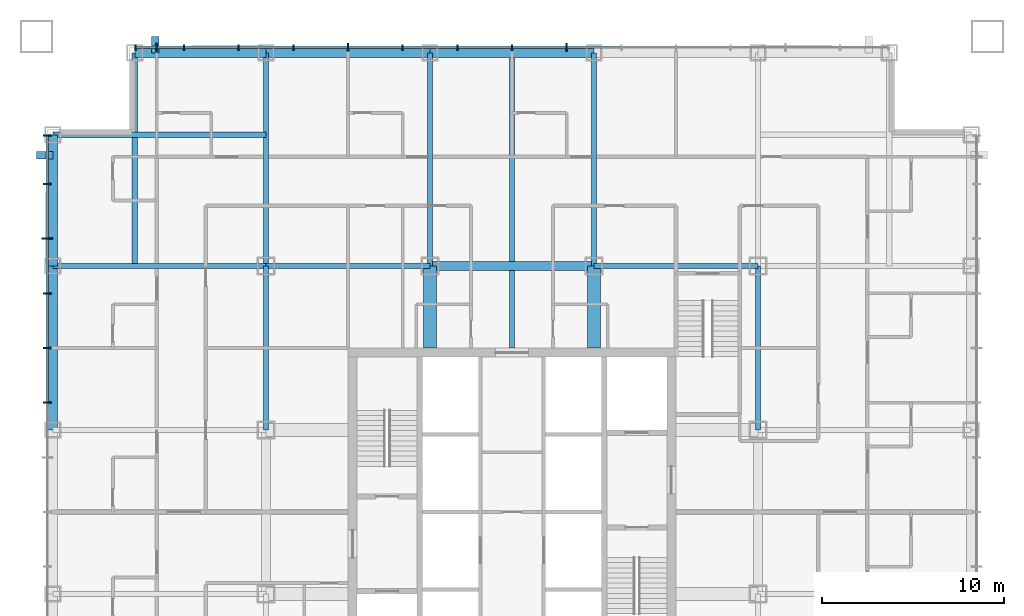
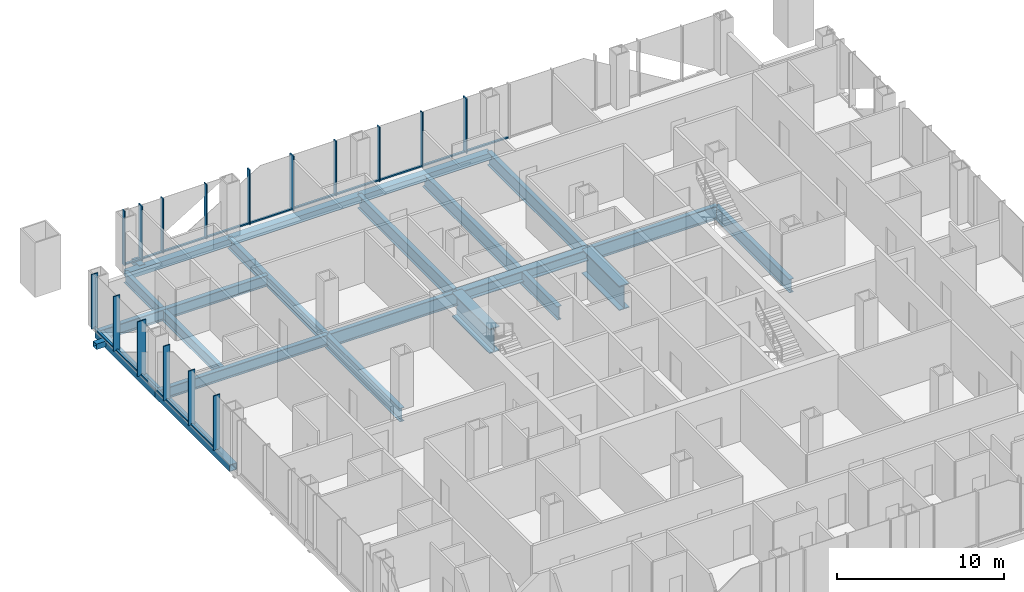
# One storey, part 4 of 13: 33 members, 19 beams, 2 elements without a shape of their own.
"""IFC4 building model written with IfcOpenShell, lengths in metres."""

from ifc_helpers import new_model, si_unit, direction, frame, origin, origin_2d, place, context, subcontext, project, spatial, rectangle, hollow_rectangle, i_section, extrude, material, layer, layer_set, material_profile, profile_set, type_object, element, aggregate, save


model = new_model("IFC4")

# Units and contexts
model_context = context("Model", 3, precision=1e-05, world=origin(), true_north=direction((0.0, 1.0)))
body_context = subcontext(model_context, "Body", "Model", "MODEL_VIEW")
ifc_project = project(units=[si_unit("LENGTHUNIT", "METRE"), si_unit("AREAUNIT", "SQUARE_METRE"), si_unit("VOLUMEUNIT", "CUBIC_METRE"), si_unit("PLANEANGLEUNIT", "RADIAN"), si_unit("MASSUNIT", "GRAM", prefix="KILO")], contexts=[model_context])

# Site, building, storey
site_placement = place(None, origin())
site = spatial("IfcSite", under=ifc_project, at=site_placement, CompositionType="ELEMENT")
building_placement = place(site_placement, origin())
building = spatial("IfcBuilding", under=site, at=building_placement, Name="Malebo Sky Hospital", CompositionType="ELEMENT")
storey_placement = place(building_placement, frame((0.0, 0.0, 35.0)))
storey = spatial("IfcBuildingStorey", under=building, at=storey_placement, Name="L07", CompositionType="ELEMENT", Elevation=35.0)

# Curtain wall, members
ifc_material_1 = material(Name="Anodised aluminium, natural silver", Category="aluminium")
ifc_layer_1 = layer(ifc_material_1, 0.25)
ifc_layer_set_1 = layer_set([ifc_layer_1], Name="WARD CURTAIN WALL NORTH AND SOUTH")
curtain_wall_type_1 = type_object("IfcCurtainWallType", Name="WARD CURTAIN WALL NORTH AND SOUTH", PredefinedType="NOTDEFINED", material=ifc_layer_set_1)
curtain_wall_1_placement = place(storey_placement, origin())
curtain_wall_1 = element("IfcCurtainWall", 1, at=curtain_wall_1_placement, inside=storey, type_object=curtain_wall_type_1, Name="NS curtain wall N", PredefinedType="NOTDEFINED")
ifc_material_profile_1 = material_profile(ifc_material_1, rectangle(XDim=0.14990234375, YDim=0.10009765625, at=origin_2d()), Name="ALUMINIUM TRANSOM 150x100")
ifc_profile_set_1 = profile_set([ifc_material_profile_1], Name="Anodised aluminium, natural silver")
member_type_1 = type_object("IfcMemberType", Name="ALUMINIUM TRANSOM 150x100", PredefinedType="USERDEFINED", material=ifc_profile_set_1)
member_1_placement = place(storey_placement, frame((39.375, 87.5, 0.050048828125), z_axis=(1.0, 0.0, 0.0), x_axis=(0.0, 1.0, 0.0)))
member_1 = element("IfcMember", 2, at=member_1_placement, type_object=member_type_1, Name="Transom 1", ObjectType="TRANSOM", PredefinedType="USERDEFINED", context=body_context, shape_type="SweptSolid", body=[
    extrude(rectangle(XDim=0.14990234375, YDim=0.10009765625, at=origin_2d()), origin(), (0.0, 0.0, 1.0), 1.08740234375),
])
member_2_placement = place(storey_placement, frame((40.53759765625, 87.5, 0.050048828125), z_axis=(1.0, 0.0, 0.0), x_axis=(0.0, 1.0, 0.0)))
member_2 = element("IfcMember", 3, at=member_2_placement, type_object=member_type_1, Name="Transom 2", ObjectType="TRANSOM", PredefinedType="USERDEFINED", context=body_context, shape_type="SweptSolid", body=[
    extrude(rectangle(XDim=0.14990234375, YDim=0.10009765625, at=origin_2d()), origin(), (0.0, 0.0, 1.0), 1.4248046875),
])
member_3_placement = place(storey_placement, frame((42.03759765625, 87.5, 0.050048828125), z_axis=(1.0, 0.0, 0.0), x_axis=(0.0, 1.0, 0.0)))
member_3 = element("IfcMember", 4, at=member_3_placement, type_object=member_type_1, Name="Transom 3", ObjectType="TRANSOM", PredefinedType="USERDEFINED", context=body_context, shape_type="SweptSolid", body=[
    extrude(rectangle(XDim=0.14990234375, YDim=0.10009765625, at=origin_2d()), origin(), (0.0, 0.0, 1.0), 2.9248046875),
])
member_4_placement = place(storey_placement, frame((45.03759765625, 87.5, 0.050048828125), z_axis=(1.0, 0.0, 0.0), x_axis=(0.0, 1.0, 0.0)))
member_4 = element("IfcMember", 5, at=member_4_placement, type_object=member_type_1, Name="Transom 4", ObjectType="TRANSOM", PredefinedType="USERDEFINED", context=body_context, shape_type="SweptSolid", body=[
    extrude(rectangle(XDim=0.14990234375, YDim=0.10009765625, at=origin_2d()), origin(), (0.0, 0.0, 1.0), 2.9248046875),
])
member_5_placement = place(storey_placement, frame((48.03759765625, 87.5, 0.050048828125), z_axis=(1.0, 0.0, 0.0), x_axis=(0.0, 1.0, 0.0)))
member_5 = element("IfcMember", 6, at=member_5_placement, type_object=member_type_1, Name="Transom 5", ObjectType="TRANSOM", PredefinedType="USERDEFINED", context=body_context, shape_type="SweptSolid", body=[
    extrude(rectangle(XDim=0.14990234375, YDim=0.10009765625, at=origin_2d()), origin(), (0.0, 0.0, 1.0), 2.9248046875),
])
member_6_placement = place(storey_placement, frame((51.03759765625, 87.5, 0.050048828125), z_axis=(1.0, 0.0, 0.0), x_axis=(0.0, 1.0, 0.0)))
member_6 = element("IfcMember", 7, at=member_6_placement, type_object=member_type_1, Name="Transom 6", ObjectType="TRANSOM", PredefinedType="USERDEFINED", context=body_context, shape_type="SweptSolid", body=[
    extrude(rectangle(XDim=0.14990234375, YDim=0.10009765625, at=origin_2d()), origin(), (0.0, 0.0, 1.0), 2.9248046875),
])
member_7_placement = place(storey_placement, frame((54.03759765625, 87.5, 0.050048828125), z_axis=(1.0, 0.0, 0.0), x_axis=(0.0, 1.0, 0.0)))
member_7 = element("IfcMember", 8, at=member_7_placement, type_object=member_type_1, Name="Transom 7", ObjectType="TRANSOM", PredefinedType="USERDEFINED", context=body_context, shape_type="SweptSolid", body=[
    extrude(rectangle(XDim=0.14990234375, YDim=0.10009765625, at=origin_2d()), origin(), (0.0, 0.0, 1.0), 2.9248046875),
])
member_8_placement = place(storey_placement, frame((57.03759765625, 87.5, 0.050048828125), z_axis=(1.0, 0.0, 0.0), x_axis=(0.0, 1.0, 0.0)))
member_8 = element("IfcMember", 9, at=member_8_placement, type_object=member_type_1, Name="Transom 8", ObjectType="TRANSOM", PredefinedType="USERDEFINED", context=body_context, shape_type="SweptSolid", body=[
    extrude(rectangle(XDim=0.14990234375, YDim=0.10009765625, at=origin_2d()), origin(), (0.0, 0.0, 1.0), 2.9248046875),
])
member_9_placement = place(storey_placement, frame((60.03759765625, 87.5, 0.050048828125), z_axis=(1.0, 0.0, 0.0), x_axis=(0.0, 1.0, 0.0)))
member_9 = element("IfcMember", 10, at=member_9_placement, type_object=member_type_1, Name="Transom 9", ObjectType="TRANSOM", PredefinedType="USERDEFINED", context=body_context, shape_type="SweptSolid", body=[
    extrude(rectangle(XDim=0.14990234375, YDim=0.10009765625, at=origin_2d()), origin(), (0.0, 0.0, 1.0), 2.9248046875),
])
member_10_placement = place(storey_placement, frame((63.03759765625, 87.5, 0.050048828125), z_axis=(1.0, 0.0, 0.0), x_axis=(0.0, 1.0, 0.0)))
member_10 = element("IfcMember", 11, at=member_10_placement, type_object=member_type_1, Name="Transom 10", ObjectType="TRANSOM", PredefinedType="USERDEFINED", context=body_context, shape_type="SweptSolid", body=[
    extrude(rectangle(XDim=0.14990234375, YDim=0.10009765625, at=origin_2d()), origin(), (0.0, 0.0, 1.0), 2.9248046875),
])

ifc_layer_2 = layer(ifc_material_1, 0.25)
ifc_layer_set_2 = layer_set([ifc_layer_2], Name="WARD CURTAIN WALL EAST AND WEST")
curtain_wall_type_2 = type_object("IfcCurtainWallType", Name="WARD CURTAIN WALL EAST AND WEST", PredefinedType="NOTDEFINED", material=ifc_layer_set_2)
curtain_wall_2_placement = place(storey_placement, origin())
curtain_wall_2 = element("IfcCurtainWall", 12, at=curtain_wall_2_placement, inside=storey, type_object=curtain_wall_type_2, Name="EW curtain wall W", PredefinedType="NOTDEFINED")
member_11_placement = place(storey_placement, frame((34.5, 68.03759765625, 0.050048828125), z_axis=(0.0, 1.0, 0.0), x_axis=(-1.0, 0.0, 0.0)))
member_11 = element("IfcMember", 13, at=member_11_placement, type_object=member_type_1, Name="Transom 11", ObjectType="TRANSOM", PredefinedType="USERDEFINED", context=body_context, shape_type="SweptSolid", body=[
    extrude(rectangle(XDim=0.14990234375, YDim=0.10009765625, at=origin_2d()), origin(), (0.0, 0.0, 1.0), 2.9248046875),
])
member_12_placement = place(storey_placement, frame((34.5, 71.03759765625, 0.050048828125), z_axis=(0.0, 1.0, 0.0), x_axis=(-1.0, 0.0, 0.0)))
member_12 = element("IfcMember", 14, at=member_12_placement, type_object=member_type_1, Name="Transom 12", ObjectType="TRANSOM", PredefinedType="USERDEFINED", context=body_context, shape_type="SweptSolid", body=[
    extrude(rectangle(XDim=0.14990234375, YDim=0.10009765625, at=origin_2d()), origin(), (0.0, 0.0, 1.0), 2.9248046875),
])
member_13_placement = place(storey_placement, frame((34.5, 74.03759765625, 0.050048828125), z_axis=(0.0, 1.0, 0.0), x_axis=(-1.0, 0.0, 0.0)))
member_13 = element("IfcMember", 15, at=member_13_placement, type_object=member_type_1, Name="Transom 13", ObjectType="TRANSOM", PredefinedType="USERDEFINED", context=body_context, shape_type="SweptSolid", body=[
    extrude(rectangle(XDim=0.14990234375, YDim=0.10009765625, at=origin_2d()), origin(), (0.0, 0.0, 1.0), 2.9248046875),
])
member_14_placement = place(storey_placement, frame((34.5, 77.03759765625, 0.050048828125), z_axis=(0.0, 1.0, 0.0), x_axis=(-1.0, 0.0, 0.0)))
member_14 = element("IfcMember", 16, at=member_14_placement, type_object=member_type_1, Name="Transom 14", ObjectType="TRANSOM", PredefinedType="USERDEFINED", context=body_context, shape_type="SweptSolid", body=[
    extrude(rectangle(XDim=0.14990234375, YDim=0.10009765625, at=origin_2d()), origin(), (0.0, 0.0, 1.0), 2.9248046875),
])
member_15_placement = place(storey_placement, frame((34.5, 80.03759765625, 0.050048828125), z_axis=(0.0, 1.0, 0.0), x_axis=(-1.0, 0.0, 0.0)))
member_15 = element("IfcMember", 17, at=member_15_placement, type_object=member_type_1, Name="Transom 15", ObjectType="TRANSOM", PredefinedType="USERDEFINED", context=body_context, shape_type="SweptSolid", body=[
    extrude(rectangle(XDim=0.14990234375, YDim=0.10009765625, at=origin_2d()), origin(), (0.0, 0.0, 1.0), 2.58740234375),
])

# Members
ifc_material_2 = material(Name="Steel S355", Category="steel")
ifc_material_profile_2 = material_profile(ifc_material_2, hollow_rectangle(XDim=0.39990234375, YDim=0.39990234375, WallThickness=0.02001953125, at=origin_2d()), Name="SHS 400x20")
ifc_profile_set_2 = profile_set([ifc_material_profile_2], Name="Steel S355")
member_type_2 = type_object("IfcMemberType", Name="BRACE STRUT SHS 400x20", PredefinedType="STRUT", material=ifc_profile_set_2)
for number, where, z_axis, x_axis, name in (
    (18, (40.425048828125, 88.10009765625, -0.39990234375), (0.0, -1.0, 0.0), (1.0, 0.0, 0.0), "Brace strut AN2 L07"),
    (19, (33.89990234375, 81.574951171875, -0.39990234375), (1.0, 0.0, 0.0), (0.0, 1.0, 0.0), "Brace strut AW1 L07"),
):
    element("IfcMember", number, at=place(storey_placement, frame(where, z_axis=z_axis, x_axis=x_axis)), inside=storey, type_object=member_type_2, Name=name, PredefinedType="STRUT", context=body_context, shape_type="SweptSolid", body=[
        extrude(hollow_rectangle(XDim=0.39990234375, YDim=0.39990234375, WallThickness=0.02001953125, at=origin_2d()), origin(), (0.0, 0.0, 1.0), 0.900146484375),
    ])

# Member
ifc_material_profile_3 = material_profile(ifc_material_1, rectangle(XDim=0.074951171875, YDim=0.300048828125, at=origin_2d()), Name="CW1 ALUMINIUM FIN MULLION 75x300")
ifc_profile_set_3 = profile_set([ifc_material_profile_3], Name="Anodised aluminium, natural silver")
member_type_3 = type_object("IfcMemberType", Name="CW1 ALUMINIUM FIN MULLION 75x300", PredefinedType="MULLION", material=ifc_profile_set_3)
member_16_placement = place(storey_placement, frame((39.33740234375, 87.5, 0.0), z_axis=(0.0, 0.0, 1.0), x_axis=(1.0, 0.0, 0.0)))
member_16 = element("IfcMember", 20, at=member_16_placement, type_object=member_type_3, Name="Fin mullion 1", PredefinedType="MULLION", context=body_context, shape_type="SweptSolid", body=[
    extrude(rectangle(XDim=0.074951171875, YDim=0.300048828125, at=origin_2d()), origin(), (0.0, 0.0, 1.0), 4.0),
])

member_17_placement = place(storey_placement, frame((42.0, 87.5, 0.0), z_axis=(0.0, 0.0, 1.0), x_axis=(1.0, 0.0, 0.0)))
member_17 = element("IfcMember", 21, at=member_17_placement, type_object=member_type_3, Name="Fin mullion 3", PredefinedType="MULLION", context=body_context, shape_type="SweptSolid", body=[
    extrude(rectangle(XDim=0.074951171875, YDim=0.300048828125, at=origin_2d()), origin(), (0.0, 0.0, 1.0), 4.0),
])

member_18_placement = place(storey_placement, frame((45.0, 87.5, 0.0), z_axis=(0.0, 0.0, 1.0), x_axis=(1.0, 0.0, 0.0)))
member_18 = element("IfcMember", 22, at=member_18_placement, type_object=member_type_3, Name="Fin mullion 4", PredefinedType="MULLION", context=body_context, shape_type="SweptSolid", body=[
    extrude(rectangle(XDim=0.074951171875, YDim=0.300048828125, at=origin_2d()), origin(), (0.0, 0.0, 1.0), 4.0),
])

member_19_placement = place(storey_placement, frame((48.0, 87.5, 0.0), z_axis=(0.0, 0.0, 1.0), x_axis=(1.0, 0.0, 0.0)))
member_19 = element("IfcMember", 23, at=member_19_placement, type_object=member_type_3, Name="Fin mullion 5", PredefinedType="MULLION", context=body_context, shape_type="SweptSolid", body=[
    extrude(rectangle(XDim=0.074951171875, YDim=0.300048828125, at=origin_2d()), origin(), (0.0, 0.0, 1.0), 4.0),
])

member_20_placement = place(storey_placement, frame((54.0, 87.5, 0.0), z_axis=(0.0, 0.0, 1.0), x_axis=(1.0, 0.0, 0.0)))
member_20 = element("IfcMember", 24, at=member_20_placement, type_object=member_type_3, Name="Fin mullion 7", PredefinedType="MULLION", context=body_context, shape_type="SweptSolid", body=[
    extrude(rectangle(XDim=0.074951171875, YDim=0.300048828125, at=origin_2d()), origin(), (0.0, 0.0, 1.0), 4.0),
])

member_21_placement = place(storey_placement, frame((57.0, 87.5, 0.0), z_axis=(0.0, 0.0, 1.0), x_axis=(1.0, 0.0, 0.0)))
member_21 = element("IfcMember", 25, at=member_21_placement, type_object=member_type_3, Name="Fin mullion 8", PredefinedType="MULLION", context=body_context, shape_type="SweptSolid", body=[
    extrude(rectangle(XDim=0.074951171875, YDim=0.300048828125, at=origin_2d()), origin(), (0.0, 0.0, 1.0), 4.0),
])

member_22_placement = place(storey_placement, frame((60.0, 87.5, 0.0), z_axis=(0.0, 0.0, 1.0), x_axis=(1.0, 0.0, 0.0)))
member_22 = element("IfcMember", 26, at=member_22_placement, type_object=member_type_3, Name="Fin mullion 9", PredefinedType="MULLION", context=body_context, shape_type="SweptSolid", body=[
    extrude(rectangle(XDim=0.074951171875, YDim=0.300048828125, at=origin_2d()), origin(), (0.0, 0.0, 1.0), 4.0),
])

ifc_material_profile_4 = material_profile(ifc_material_1, rectangle(XDim=0.074951171875, YDim=0.449951171875, at=origin_2d()), Name="CW1 ALUMINIUM FIN MULLION 75x450")
ifc_profile_set_4 = profile_set([ifc_material_profile_4], Name="Anodised aluminium, natural silver")
member_type_4 = type_object("IfcMemberType", Name="CW1 ALUMINIUM FIN MULLION 75x450", PredefinedType="MULLION", material=ifc_profile_set_4)
member_23_placement = place(storey_placement, frame((40.5, 87.5, 0.0), z_axis=(0.0, 0.0, 1.0), x_axis=(1.0, 0.0, 0.0)))
member_23 = element("IfcMember", 27, at=member_23_placement, type_object=member_type_4, Name="Fin mullion 2", PredefinedType="MULLION", context=body_context, shape_type="SweptSolid", body=[
    extrude(rectangle(XDim=0.074951171875, YDim=0.449951171875, at=origin_2d()), origin(), (0.0, 0.0, 1.0), 4.0),
])

member_24_placement = place(storey_placement, frame((51.0, 87.5, 0.0), z_axis=(0.0, 0.0, 1.0), x_axis=(1.0, 0.0, 0.0)))
member_24 = element("IfcMember", 28, at=member_24_placement, type_object=member_type_4, Name="Fin mullion 6", PredefinedType="MULLION", context=body_context, shape_type="SweptSolid", body=[
    extrude(rectangle(XDim=0.074951171875, YDim=0.449951171875, at=origin_2d()), origin(), (0.0, 0.0, 1.0), 4.0),
])

member_25_placement = place(storey_placement, frame((63.0, 87.5, 0.0), z_axis=(0.0, 0.0, 1.0), x_axis=(1.0, 0.0, 0.0)))
member_25 = element("IfcMember", 29, at=member_25_placement, type_object=member_type_4, Name="Fin mullion 10", PredefinedType="MULLION", context=body_context, shape_type="SweptSolid", body=[
    extrude(rectangle(XDim=0.074951171875, YDim=0.449951171875, at=origin_2d()), origin(), (0.0, 0.0, 1.0), 4.0),
])

aggregate(curtain_wall_1, [member_16, member_23, member_17, member_18, member_19, member_24, member_20, member_21, member_22, member_25, member_1, member_2, member_3, member_4, member_5, member_6, member_7, member_8, member_9, member_10])

ifc_material_profile_5 = material_profile(ifc_material_1, rectangle(XDim=0.074951171875, YDim=0.449951171875, at=origin_2d()), Name="CW2 ALUMINIUM FIN MULLION 75x450")
ifc_profile_set_5 = profile_set([ifc_material_profile_5], Name="Anodised aluminium, natural silver")
member_type_5 = type_object("IfcMemberType", Name="CW2 ALUMINIUM FIN MULLION 75x450", PredefinedType="MULLION", material=ifc_profile_set_5)
member_26_placement = place(storey_placement, frame((34.5, 68.0, 0.0), z_axis=(0.0, 0.0, 1.0), x_axis=(0.0, 1.0, 0.0)))
member_26 = element("IfcMember", 30, at=member_26_placement, type_object=member_type_5, Name="Fin mullion 11", PredefinedType="MULLION", context=body_context, shape_type="SweptSolid", body=[
    extrude(rectangle(XDim=0.074951171875, YDim=0.449951171875, at=origin_2d()), origin(), (0.0, 0.0, 1.0), 4.0),
])

member_27_placement = place(storey_placement, frame((34.5, 71.0, 0.0), z_axis=(0.0, 0.0, 1.0), x_axis=(0.0, 1.0, 0.0)))
member_27 = element("IfcMember", 31, at=member_27_placement, type_object=member_type_5, Name="Fin mullion 12", PredefinedType="MULLION", context=body_context, shape_type="SweptSolid", body=[
    extrude(rectangle(XDim=0.074951171875, YDim=0.449951171875, at=origin_2d()), origin(), (0.0, 0.0, 1.0), 4.0),
])

member_28_placement = place(storey_placement, frame((34.5, 74.0, 0.0), z_axis=(0.0, 0.0, 1.0), x_axis=(0.0, 1.0, 0.0)))
member_28 = element("IfcMember", 32, at=member_28_placement, type_object=member_type_5, Name="Fin mullion 13", PredefinedType="MULLION", context=body_context, shape_type="SweptSolid", body=[
    extrude(rectangle(XDim=0.074951171875, YDim=0.449951171875, at=origin_2d()), origin(), (0.0, 0.0, 1.0), 4.0),
])

member_29_placement = place(storey_placement, frame((34.5, 80.0, 0.0), z_axis=(0.0, 0.0, 1.0), x_axis=(0.0, 1.0, 0.0)))
member_29 = element("IfcMember", 33, at=member_29_placement, type_object=member_type_5, Name="Fin mullion 15", PredefinedType="MULLION", context=body_context, shape_type="SweptSolid", body=[
    extrude(rectangle(XDim=0.074951171875, YDim=0.449951171875, at=origin_2d()), origin(), (0.0, 0.0, 1.0), 4.0),
])

member_30_placement = place(storey_placement, frame((34.5, 82.66259765625, 0.0), z_axis=(0.0, 0.0, 1.0), x_axis=(0.0, 1.0, 0.0)))
member_30 = element("IfcMember", 34, at=member_30_placement, type_object=member_type_5, Name="Fin mullion 16", PredefinedType="MULLION", context=body_context, shape_type="SweptSolid", body=[
    extrude(rectangle(XDim=0.074951171875, YDim=0.449951171875, at=origin_2d()), origin(), (0.0, 0.0, 1.0), 4.0),
])

ifc_material_profile_6 = material_profile(ifc_material_1, rectangle(XDim=0.074951171875, YDim=0.60009765625, at=origin_2d()), Name="CW2 ALUMINIUM FIN MULLION 75x600")
ifc_profile_set_6 = profile_set([ifc_material_profile_6], Name="Anodised aluminium, natural silver")
member_type_6 = type_object("IfcMemberType", Name="CW2 ALUMINIUM FIN MULLION 75x600", PredefinedType="MULLION", material=ifc_profile_set_6)
member_31_placement = place(storey_placement, frame((34.5, 77.0, 0.0), z_axis=(0.0, 0.0, 1.0), x_axis=(0.0, 1.0, 0.0)))
member_31 = element("IfcMember", 35, at=member_31_placement, type_object=member_type_6, Name="Fin mullion 14", PredefinedType="MULLION", context=body_context, shape_type="SweptSolid", body=[
    extrude(rectangle(XDim=0.074951171875, YDim=0.60009765625, at=origin_2d()), origin(), (0.0, 0.0, 1.0), 4.0),
])

aggregate(curtain_wall_2, [member_26, member_27, member_28, member_31, member_29, member_30, member_11, member_12, member_13, member_14, member_15])

# Beams
ifc_material_3 = material(Name="Steel S460", Category="steel")
ifc_material_profile_7 = material_profile(ifc_material_3, hollow_rectangle(XDim=0.5, YDim=0.5, WallThickness=0.030029296875, at=origin_2d()), Name="BOX 500x500x30")
ifc_profile_set_7 = profile_set([ifc_material_profile_7], Name="Steel S460")
beam_type_1 = type_object("IfcBeamType", Name="EDGE BEAM BOX 500x500x30", PredefinedType="BEAM", material=ifc_profile_set_7)
beam_1_placement = place(storey_placement, frame((34.800048828125, 66.5, -0.5), z_axis=(0.0, 1.0, 0.0), x_axis=(-1.0, 0.0, 0.0)))
element("IfcBeam", 36, at=beam_1_placement, inside=storey, type_object=beam_type_1, Name="Beam 003 L07", PredefinedType="BEAM", context=body_context, shape_type="SweptSolid", body=[
    extrude(hollow_rectangle(XDim=0.5, YDim=0.5, WallThickness=0.030029296875, at=origin_2d()), origin(), (0.0, 0.0, 1.0), 9.0),
])
for number, where, z_axis, x_axis, name in (
    (37, (34.800048828125, 75.5, -0.5), (0.0, 1.0, 0.0), (-1.0, 0.0, 0.0), "Beam 004 L07"),
    (38, (39.300048828125, 87.199951171875, -0.5), (1.0, 0.0, 0.0), (0.0, 1.0, 0.0), "Beam 063 L07"),
):
    element("IfcBeam", number, at=place(storey_placement, frame(where, z_axis=z_axis, x_axis=x_axis)), inside=storey, type_object=beam_type_1, Name=name, PredefinedType="BEAM", context=body_context, shape_type="SweptSolid", body=[
        extrude(hollow_rectangle(XDim=0.5, YDim=0.5, WallThickness=0.030029296875, at=origin_2d()), origin(), (0.0, 0.0, 1.0), 7.199951171875),
    ])
for number, where, z_axis, x_axis, name in (
    (39, (46.5, 87.199951171875, -0.5), (1.0, 0.0, 0.0), (0.0, 1.0, 0.0), "Beam 064 L07"),
    (40, (55.5, 87.199951171875, -0.5), (1.0, 0.0, 0.0), (0.0, 1.0, 0.0), "Beam 065 L07"),
):
    element("IfcBeam", number, at=place(storey_placement, frame(where, z_axis=z_axis, x_axis=x_axis)), inside=storey, type_object=beam_type_1, Name=name, PredefinedType="BEAM", context=body_context, shape_type="SweptSolid", body=[
        extrude(hollow_rectangle(XDim=0.5, YDim=0.5, WallThickness=0.030029296875, at=origin_2d()), origin(), (0.0, 0.0, 1.0), 9.0),
    ])
ifc_material_profile_8 = material_profile(ifc_material_2, i_section(OverallWidth=0.300048828125, OverallDepth=1.0, WebThickness=0.01904296875, FlangeThickness=0.035888671875, FilletRadius=0.030029296875, at=origin_2d()), Name="HEB 1000")
ifc_profile_set_8 = profile_set([ifc_material_profile_8], Name="Steel S355")
beam_type_2 = type_object("IfcBeamType", Name="FLOOR BEAM HEB 1000", PredefinedType="BEAM", material=ifc_profile_set_8)
beam_2_placement = place(storey_placement, frame((46.5, 66.5, -0.75), z_axis=(0.0, 1.0, 0.0), x_axis=(-1.0, 0.0, 0.0)))
element("IfcBeam", 41, at=beam_2_placement, inside=storey, type_object=beam_type_2, Name="Beam 010 L07", PredefinedType="BEAM", context=body_context, shape_type="SweptSolid", body=[
    extrude(i_section(OverallWidth=0.300048828125, OverallDepth=1.0, WebThickness=0.01904296875, FlangeThickness=0.035888671875, FilletRadius=0.030029296875, at=origin_2d()), origin(), (0.0, 0.0, 1.0), 9.0),
])
beam_3_placement = place(storey_placement, frame((55.5, 75.5, -0.75), z_axis=(0.0, 1.0, 0.0), x_axis=(-1.0, 0.0, 0.0)))
element("IfcBeam", 42, at=beam_3_placement, inside=storey, type_object=beam_type_2, Name="Beam 015 L07", PredefinedType="BEAM", context=body_context, shape_type="SweptSolid", body=[
    extrude(i_section(OverallWidth=0.300048828125, OverallDepth=1.0, WebThickness=0.01904296875, FlangeThickness=0.035888671875, FilletRadius=0.030029296875, at=origin_2d()), origin(), (0.0, 0.0, 1.0), 11.699951171875),
])
beam_4_placement = place(storey_placement, frame((60.0, 71.0, -0.75), z_axis=(0.0, 1.0, 0.0), x_axis=(-1.0, 0.0, 0.0)))
element("IfcBeam", 43, at=beam_4_placement, inside=storey, type_object=beam_type_2, Name="Beam 017 L07", PredefinedType="BEAM", context=body_context, shape_type="SweptSolid", body=[
    extrude(i_section(OverallWidth=0.300048828125, OverallDepth=1.0, WebThickness=0.01904296875, FlangeThickness=0.035888671875, FilletRadius=0.030029296875, at=origin_2d()), origin(), (0.0, 0.0, 1.0), 16.199951171875),
])
beam_5_placement = place(storey_placement, frame((64.5, 75.5, -0.75), z_axis=(0.0, 1.0, 0.0), x_axis=(-1.0, 0.0, 0.0)))
element("IfcBeam", 44, at=beam_5_placement, inside=storey, type_object=beam_type_2, Name="Beam 021 L07", PredefinedType="BEAM", context=body_context, shape_type="SweptSolid", body=[
    extrude(i_section(OverallWidth=0.300048828125, OverallDepth=1.0, WebThickness=0.01904296875, FlangeThickness=0.035888671875, FilletRadius=0.030029296875, at=origin_2d()), origin(), (0.0, 0.0, 1.0), 11.699951171875),
])
for number, where, z_axis, x_axis, name in (
    (45, (73.5, 66.5, -0.75), (0.0, 1.0, 0.0), (-1.0, 0.0, 0.0), "Beam 025 L07"),
    (46, (46.5, 75.5, -0.75), (1.0, 0.0, 0.0), (0.0, 1.0, 0.0), "Beam 057 L07"),
    (47, (64.5, 75.5, -0.75), (1.0, 0.0, 0.0), (0.0, 1.0, 0.0), "Beam 059 L07"),
):
    element("IfcBeam", number, at=place(storey_placement, frame(where, z_axis=z_axis, x_axis=x_axis)), inside=storey, type_object=beam_type_2, Name=name, PredefinedType="BEAM", context=body_context, shape_type="SweptSolid", body=[
        extrude(i_section(OverallWidth=0.300048828125, OverallDepth=1.0, WebThickness=0.01904296875, FlangeThickness=0.035888671875, FilletRadius=0.030029296875, at=origin_2d()), origin(), (0.0, 0.0, 1.0), 9.0),
    ])
ifc_material_profile_9 = material_profile(ifc_material_2, i_section(OverallWidth=0.300048828125, OverallDepth=0.800048828125, WebThickness=0.017578125, FlangeThickness=0.032958984375, FilletRadius=0.030029296875, at=origin_2d()), Name="HEB 800")
ifc_profile_set_9 = profile_set([ifc_material_profile_9], Name="Steel S355")
beam_type_3 = type_object("IfcBeamType", Name="FLOOR BEAM HEB 800", PredefinedType="BEAM", material=ifc_profile_set_9)
for number, where, z_axis, x_axis, name in (
    (48, (39.300048828125, 75.5, -0.64990234375), (0.0, 1.0, 0.0), (-1.0, 0.0, 0.0), "Beam 006 L07"),
    (49, (34.800048828125, 82.699951171875, -0.64990234375), (1.0, 0.0, 0.0), (0.0, 1.0, 0.0), "Beam 061 L07"),
):
    element("IfcBeam", number, at=place(storey_placement, frame(where, z_axis=z_axis, x_axis=x_axis)), inside=storey, type_object=beam_type_3, Name=name, PredefinedType="BEAM", context=body_context, shape_type="SweptSolid", body=[
        extrude(i_section(OverallWidth=0.300048828125, OverallDepth=0.800048828125, WebThickness=0.017578125, FlangeThickness=0.032958984375, FilletRadius=0.030029296875, at=origin_2d()), origin(), (0.0, 0.0, 1.0), 11.699951171875),
    ])
ifc_material_profile_10 = material_profile(ifc_material_2, i_section(OverallWidth=0.699951171875, OverallDepth=1.800048828125, WebThickness=0.034912109375, FlangeThickness=0.070068359375, at=origin_2d()), Name="PG 1800x700x35x70")
ifc_profile_set_10 = profile_set([ifc_material_profile_10], Name="Steel S355")
beam_type_4 = type_object("IfcBeamType", Name="FLOOR BEAM PG 1800x700x35x70", PredefinedType="BEAM", material=ifc_profile_set_10)
for number, where, z_axis, x_axis, name in (
    (50, (55.5, 71.0, -1.14990234375), (0.0, 1.0, 0.0), (-1.0, 0.0, 0.0), "Beam 014 L07"),
    (51, (64.5, 71.0, -1.14990234375), (0.0, 1.0, 0.0), (-1.0, 0.0, 0.0), "Beam 020 L07"),
):
    element("IfcBeam", number, at=place(storey_placement, frame(where, z_axis=z_axis, x_axis=x_axis)), inside=storey, type_object=beam_type_4, Name=name, PredefinedType="BEAM", context=body_context, shape_type="SweptSolid", body=[
        extrude(i_section(OverallWidth=0.699951171875, OverallDepth=1.800048828125, WebThickness=0.034912109375, FlangeThickness=0.070068359375, at=origin_2d()), origin(), (0.0, 0.0, 1.0), 4.5),
    ])
ifc_material_profile_11 = material_profile(ifc_material_2, i_section(OverallWidth=0.300048828125, OverallDepth=0.800048828125, WebThickness=0.017578125, FlangeThickness=0.032958984375, FilletRadius=0.030029296875, at=origin_2d()), Name="HEB 800")
ifc_profile_set_11 = profile_set([ifc_material_profile_11], Name="Steel S355")
beam_type_5 = type_object("IfcBeamType", Name="FLOOR GIRDER HEB 800", PredefinedType="BEAM", material=ifc_profile_set_11)
for number, where, z_axis, x_axis, name in (
    (52, (46.5, 75.5, -0.64990234375), (0.0, 1.0, 0.0), (-1.0, 0.0, 0.0), "Beam 011 L07"),
    (53, (34.800048828125, 75.5, -0.64990234375), (1.0, 0.0, 0.0), (0.0, 1.0, 0.0), "Beam 056 L07"),
):
    element("IfcBeam", number, at=place(storey_placement, frame(where, z_axis=z_axis, x_axis=x_axis)), inside=storey, type_object=beam_type_5, Name=name, PredefinedType="BEAM", context=body_context, shape_type="SweptSolid", body=[
        extrude(i_section(OverallWidth=0.300048828125, OverallDepth=0.800048828125, WebThickness=0.017578125, FlangeThickness=0.032958984375, FilletRadius=0.030029296875, at=origin_2d()), origin(), (0.0, 0.0, 1.0), 11.699951171875),
    ])
ifc_material_profile_12 = material_profile(ifc_material_2, i_section(OverallWidth=0.5, OverallDepth=0.800048828125, WebThickness=0.030029296875, FlangeThickness=0.050048828125, at=origin_2d()), Name="PG 800x500x30x50")
ifc_profile_set_12 = profile_set([ifc_material_profile_12], Name="Steel S355")
beam_type_6 = type_object("IfcBeamType", Name="RING GIRDER PG 800x500x30x50", PredefinedType="BEAM", material=ifc_profile_set_12)
beam_6_placement = place(storey_placement, frame((55.5, 75.5, -0.64990234375), z_axis=(1.0, 0.0, 0.0), x_axis=(0.0, 1.0, 0.0)))
element("IfcBeam", 54, at=beam_6_placement, inside=storey, type_object=beam_type_6, Name="Beam 058 L07", PredefinedType="BEAM", context=body_context, shape_type="SweptSolid", body=[
    extrude(i_section(OverallWidth=0.5, OverallDepth=0.800048828125, WebThickness=0.030029296875, FlangeThickness=0.050048828125, at=origin_2d()), origin(), (0.0, 0.0, 1.0), 9.0),
])

save(model, "model.ifc")
